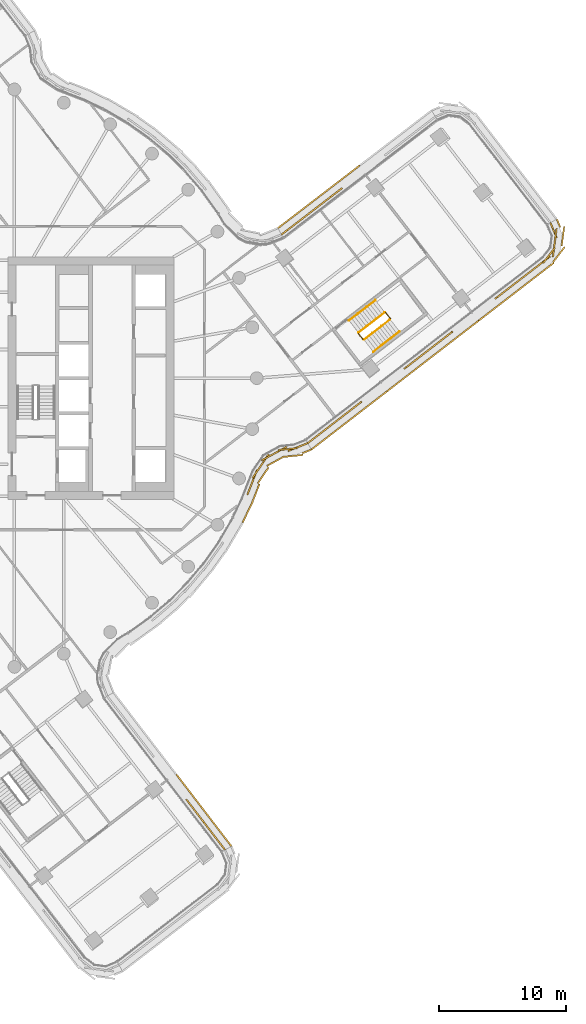
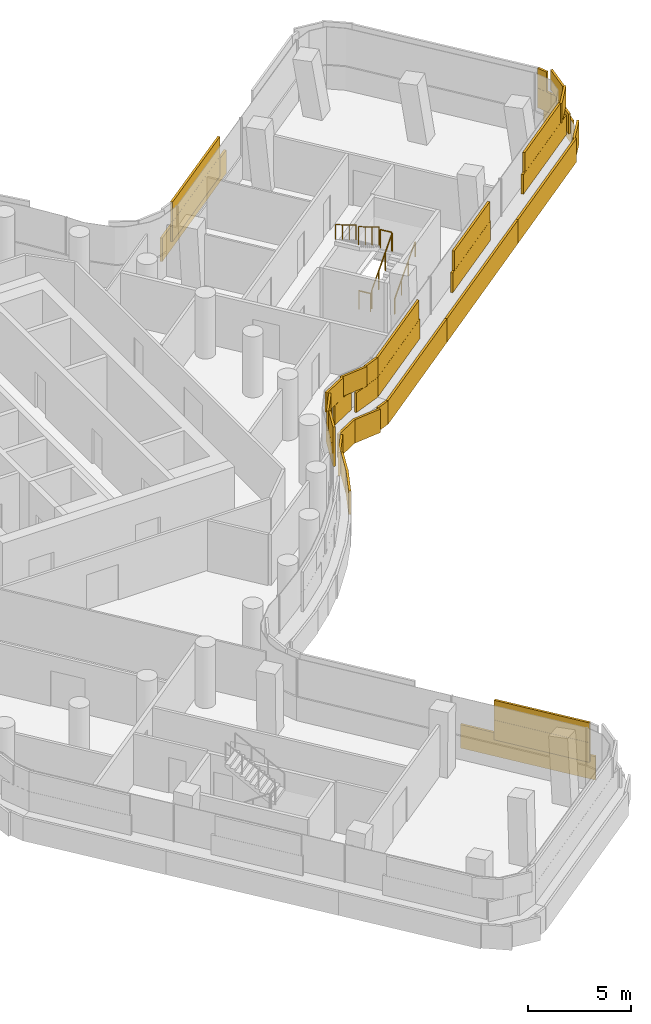
# One storey, part 31 of 33: 6 coverings, 6 railings.
"""IFC4 building model written with IfcOpenShell, lengths in metres."""

import ifcopenshell
import ifcopenshell.guid

model = None  # the IFC model being written
_history = None  # IfcOwnerHistory: only IFC2X3 demands one
_inside = {}  # id of a spatial element -> (the spatial element, [elements in it])
_under = {}  # id of a project, library or spatial element -> (it, [spatial elements below it])
_declared = {}  # id of a project -> (the project, [libraries it declares])
_typed = {}  # id of a type object -> (the type object, [elements of that type])
_made_of = {}  # id of a material, layer set ... -> (it, [elements and type objects made of it])


def new_model(schema):
    """Start an empty IFC model of exactly this schema.

    Asked for "IFC4X3", IfcOpenShell would pick the latest addendum, in which some entities
    have other attributes; the version numbers below select the first issue.
    IFC2X3 requires an IfcOwnerHistory on every rooted entity: one is made here for all.
    """
    global model, _history
    if schema == "IFC4X3":
        model = ifcopenshell.file(schema_version=(4, 3, 0, 0))
    else:
        model = ifcopenshell.file(schema=schema)
    _inside.clear()
    _under.clear()
    _declared.clear()
    _typed.clear()
    _made_of.clear()
    _history = None
    if model.schema == "IFC2X3":
        org = make("IfcOrganization", Name="unknown")
        user = make(
            "IfcPersonAndOrganization",
            ThePerson=make("IfcPerson", FamilyName="unknown"),
            TheOrganization=org,
        )
        app = make(
            "IfcApplication",
            ApplicationDeveloper=org,
            Version="unknown",
            ApplicationFullName="unknown",
            ApplicationIdentifier="unknown",
        )
        _history = make(
            "IfcOwnerHistory",
            OwningUser=user,
            OwningApplication=app,
            ChangeAction="ADDED",
            CreationDate=0,
        )
    return model


def make(cls, **values):
    """One entity of the class cls with the attributes given. An attribute that is None is left unset."""
    return model.create_entity(
        cls, **{name: value for name, value in values.items() if value is not None}
    )


def rooted(cls, **values):
    """An entity with a GlobalId (a new one), such as an element, a storey or a relation."""
    return make(cls, GlobalId=ifcopenshell.guid.new(), OwnerHistory=_history, **values)


def si_unit(unit_type, name, prefix=None):
    """IfcSIUnit, for example si_unit("LENGTHUNIT", "METRE", prefix="MILLI")."""
    return make("IfcSIUnit", UnitType=unit_type, Prefix=prefix, Name=name)


def assignment(units):
    """IfcUnitAssignment: the units of a project."""
    return None if units is None else make("IfcUnitAssignment", Units=units)


def point(xyz):
    """IfcCartesianPoint."""
    return None if xyz is None else make("IfcCartesianPoint", Coordinates=xyz)


def direction(xyz):
    """IfcDirection."""
    return None if xyz is None else make("IfcDirection", DirectionRatios=xyz)


def frame(location, z_axis=None, x_axis=None):
    """IfcAxis2Placement3D, a coordinate frame: its origin and axes. An axis left out is left unset."""
    return make(
        "IfcAxis2Placement3D",
        Location=point(location),
        Axis=direction(z_axis),
        RefDirection=direction(x_axis),
    )


def frame_2d(location, x_axis=None):
    """IfcAxis2Placement2D, a coordinate frame in the plane: its origin and x axis."""
    return make(
        "IfcAxis2Placement2D", Location=point(location), RefDirection=direction(x_axis)
    )


def origin():
    """The frame at (0, 0, 0) with its axes left unset."""
    return frame((0.0, 0.0, 0.0))


def origin_2d():
    """The frame at (0, 0) in the plane with its x axis left unset."""
    return frame_2d((0.0, 0.0))


def place(relative_to, where):
    """IfcLocalPlacement: puts the frame where relative to a parent placement (None: the world)."""
    return make(
        "IfcLocalPlacement", PlacementRelTo=relative_to, RelativePlacement=where
    )


def context(
    kind, dimensions, precision=None, world=None, true_north=None, identifier=None
):
    """IfcGeometricRepresentationContext, for example the 3D "Model" context."""
    return make(
        "IfcGeometricRepresentationContext",
        ContextIdentifier=identifier,
        ContextType=kind,
        CoordinateSpaceDimension=dimensions,
        Precision=precision,
        WorldCoordinateSystem=world,
        TrueNorth=true_north,
    )


def subcontext(parent, identifier, kind, view, scale=None):
    """IfcGeometricRepresentationSubContext, for example "Body" below "Model"."""
    return make(
        "IfcGeometricRepresentationSubContext",
        ContextIdentifier=identifier,
        ContextType=kind,
        ParentContext=parent,
        TargetScale=scale,
        TargetView=view,
    )


def project(units=None, contexts=None):
    """IfcProject with its units and contexts."""
    return rooted(
        "IfcProject",
        Name="project",
        RepresentationContexts=contexts,
        UnitsInContext=assignment(units),
    )


def spatial(cls, under=None, at=None, **own):
    """A site, building, storey or space (cls), placed at a placement, below another one or the project."""
    s = rooted(cls, ObjectPlacement=at, **own)
    if under is not None:
        _under.setdefault(under.id(), (under, []))[1].append(s)
    return s


def profile(cls, at=None, kind="AREA", **sizes):
    """A parametric profile (cls). Its sizes go by their IFC names, for example OverallWidth=200.0."""
    return make(cls, ProfileType=kind, Position=at, **sizes)


def rectangle(**sizes):
    """IfcRectangleProfileDef."""
    return profile("IfcRectangleProfileDef", **sizes)


def circle(**sizes):
    """IfcCircleProfileDef."""
    return profile("IfcCircleProfileDef", **sizes)


def extrude(swept, where, along, depth):
    """IfcExtrudedAreaSolid: the profile swept, set in the frame where, extruded along a direction by depth."""
    return make(
        "IfcExtrudedAreaSolid",
        SweptArea=swept,
        Position=where,
        ExtrudedDirection=direction(along),
        Depth=depth,
    )


def shape(context_of_items, identifier, shape_type, items):
    """IfcShapeRepresentation: the items that make up one representation, for example the "Body"."""
    return make(
        "IfcShapeRepresentation",
        ContextOfItems=context_of_items,
        RepresentationIdentifier=identifier,
        RepresentationType=shape_type,
        Items=items,
    )


def material(Name=None, Category=None):
    """IfcMaterial."""
    return make("IfcMaterial", Name=Name, Category=Category)


def layer(
    of_material, thickness, ventilated=None, Name=None, Category=None, Priority=None
):
    """IfcMaterialLayer: one layer of a wall or slab, of a material (None: an air gap)."""
    return make(
        "IfcMaterialLayer",
        Material=of_material,
        LayerThickness=thickness,
        IsVentilated=ventilated,
        Name=Name,
        Category=Category,
        Priority=Priority,
    )


def layer_set(layers, Name=None):
    """IfcMaterialLayerSet."""
    return make("IfcMaterialLayerSet", MaterialLayers=layers, LayerSetName=Name)


def made_of(thing, what):
    """Note that an element or type object is made of a material, layer set ...; save() writes the relation."""
    if what is not None:
        _made_of.setdefault(what.id(), (what, []))[1].append(thing)
    return thing


def type_object(cls, material=None, **own):
    """A type object (cls), such as IfcWallType, which elements share."""
    return made_of(rooted(cls, **own), material)


def element(
    cls,
    number,
    at=None,
    inside=None,
    cuts=None,
    type_object=None,
    material=None,
    context=None,
    identifier="Body",
    shape_type=None,
    held_by="IfcProductDefinitionShape",
    body=None,
    shapes=None,
    **own,
):
    """One element of the class cls, such as IfcWall. Its Tag is "e" and its number.

    at: its placement. inside: the storey or other place that contains it. cuts: it is an
    opening in that element (IfcRelVoidsElement). A single representation is given by context,
    identifier, shape_type and body (its items); several are given by shapes. held_by: the class
    of the entity that holds the representations. save() writes the other relations.
    """
    e = rooted(cls, Tag="e%d" % number, ObjectPlacement=at, **own)
    if body is not None:
        shapes = [shape(context, identifier, shape_type, body)]
    if shapes is not None:
        e.Representation = make(held_by, Representations=shapes)
    if inside is not None:
        _inside.setdefault(inside.id(), (inside, []))[1].append(e)
    if cuts is not None:
        rooted(
            "IfcRelVoidsElement", RelatingBuildingElement=cuts, RelatedOpeningElement=e
        )
    if type_object is not None:
        _typed.setdefault(type_object.id(), (type_object, []))[1].append(e)
    return made_of(e, material)


def aggregate(whole, parts):
    """IfcRelAggregates: a whole, such as a stair, and the parts it consists of."""
    return rooted("IfcRelAggregates", RelatingObject=whole, RelatedObjects=parts)


def save(model, path):
    """Write the relations noted so far, then the file.

    IfcRelAggregates (storeys below a building ...), IfcRelContainedInSpatialStructure (elements
    in a storey), IfcRelDefinesByType, IfcRelAssociatesMaterial and IfcRelDeclares: one each for
    every whole, place, type object, material and project.
    """
    for whole, parts in _under.values():
        aggregate(whole, parts)
    for where, things in _inside.values():
        rooted(
            "IfcRelContainedInSpatialStructure",
            RelatedElements=things,
            RelatingStructure=where,
        )
    for kind, things in _typed.values():
        rooted("IfcRelDefinesByType", RelatedObjects=things, RelatingType=kind)
    for what, things in _made_of.values():
        rooted("IfcRelAssociatesMaterial", RelatedObjects=things, RelatingMaterial=what)
    for by, libraries in _declared.values():
        rooted("IfcRelDeclares", RelatingContext=by, RelatedDefinitions=libraries)
    model.write(path)


model = new_model("IFC4")

# Units and contexts
model_context = context("Model", 3, precision=1e-05, world=origin(), true_north=direction((0.0, 1.0)))
body_context = subcontext(model_context, "Body", "Model", "MODEL_VIEW")
ifc_project = project(units=[si_unit("LENGTHUNIT", "METRE"), si_unit("AREAUNIT", "SQUARE_METRE"), si_unit("VOLUMEUNIT", "CUBIC_METRE"), si_unit("PLANEANGLEUNIT", "RADIAN"), si_unit("MASSUNIT", "GRAM", prefix="KILO")], contexts=[model_context])

# Site, building, storey
site_placement = place(None, origin())
site = spatial("IfcSite", under=ifc_project, at=site_placement, CompositionType="ELEMENT")
building_placement = place(site_placement, origin())
building = spatial("IfcBuilding", under=site, at=building_placement, Name="Tamarind Cross Interchange Tower", CompositionType="ELEMENT")
storey_placement = place(building_placement, frame((0.0, 0.0, 170.5)))
storey = spatial("IfcBuildingStorey", under=building, at=storey_placement, Name="L42", CompositionType="ELEMENT", Elevation=170.5)

# Railings
ifc_material_1 = material(Name="Stair guard")
railing_type_1 = type_object("IfcRailingType", Name="Stair guard", PredefinedType="GUARDRAIL", material=ifc_material_1)
railing_1_placement = place(storey_placement, frame((31.41162109375, 3.022216796875, 0.17041015625)))
element("IfcRailing", 1, at=railing_1_placement, inside=storey, type_object=railing_type_1, Name="L42 ST3 stair guard 1", PredefinedType="GUARDRAIL", context=body_context, shape_type="SweptSolid", body=[
    extrude(circle(Radius=0.02392578125, at=origin_2d()), frame((0.0, 0.0, 1.076171875), z_axis=(0.662458664163, 0.510429269447, 0.548279562967), x_axis=(-0.61034586925, 0.792135038923, 0.0)), (0.0, 0.0, 1.0), 3.10888671875),
    extrude(circle(Radius=0.02099609375, at=origin_2d()), origin(), (0.0, 0.0, 1.0), 1.052001953125),
    extrude(circle(Radius=0.02099609375, at=origin_2d()), frame((0.6865234375, 0.529052734375, 0.568115234375)), (0.0, 0.0, 1.0), 1.052001953125),
    extrude(circle(Radius=0.02099609375, at=origin_2d()), frame((1.373046875, 1.057861328125, 1.136474609375)), (0.0, 0.0, 1.0), 1.052001953125),
    extrude(circle(Radius=0.02099609375, at=origin_2d()), frame((2.0595703125, 1.5869140625, 1.70458984375)), (0.0, 0.0, 1.0), 1.052001953125),
])
railing_2_placement = place(storey_placement, frame((33.480224609375, 4.67919921875, 1.875)))
element("IfcRailing", 2, at=railing_2_placement, inside=storey, type_object=railing_type_1, Name="L42 ST3 stair guard 2", PredefinedType="GUARDRAIL", context=body_context, shape_type="SweptSolid", body=[
    extrude(circle(Radius=0.02392578125, at=origin_2d()), frame((0.0, 0.0, 1.076171875), z_axis=(-0.610300473503, 0.792170014607, 0.0), x_axis=(-0.792170014607, -0.610300473503, 0.0)), (0.0, 0.0, 1.0), 0.60009765625),
    extrude(circle(Radius=0.02099609375, at=origin_2d()), origin(), (0.0, 0.0, 1.0), 1.052001953125),
    extrude(circle(Radius=0.02099609375, at=origin_2d()), frame((-0.3662109375, 0.475341796875, 0.0)), (0.0, 0.0, 1.0), 1.052001953125),
])
railing_3_placement = place(storey_placement, frame((33.0439453125, 5.16357421875, 2.04541015625)))
element("IfcRailing", 3, at=railing_3_placement, inside=storey, type_object=railing_type_1, Name="L42 ST3 stair guard 3", PredefinedType="GUARDRAIL", context=body_context, shape_type="SweptSolid", body=[
    extrude(circle(Radius=0.02392578125, at=origin_2d()), frame((0.0, 0.0, 1.076171875), z_axis=(-0.662485216898, -0.510371197798, 0.548301539164), x_axis=(0.610286944407, -0.792180437455, 0.0)), (0.0, 0.0, 1.0), 3.10888671875),
    extrude(circle(Radius=0.02099609375, at=origin_2d()), origin(), (0.0, 0.0, 1.0), 1.052001953125),
    extrude(circle(Radius=0.02099609375, at=origin_2d()), frame((-0.6865234375, -0.52880859375, 0.568115234375)), (0.0, 0.0, 1.0), 1.052001953125),
    extrude(circle(Radius=0.02099609375, at=origin_2d()), frame((-1.373046875, -1.057861328125, 1.136474609375)), (0.0, 0.0, 1.0), 1.052001953125),
    extrude(circle(Radius=0.02099609375, at=origin_2d()), frame((-2.0595703125, -1.586669921875, 1.70458984375)), (0.0, 0.0, 1.0), 1.052001953125),
])
railing_4_placement = place(storey_placement, frame((31.341552734375, 3.031494140625, 0.0)))
element("IfcRailing", 4, at=railing_4_placement, inside=storey, type_object=railing_type_1, Name="L42 ST3 stair guard 4", PredefinedType="GUARDRAIL", context=body_context, shape_type="SweptSolid", body=[
    extrude(circle(Radius=0.02392578125, at=origin_2d()), frame((0.0, 0.0, 1.076171875), z_axis=(-0.610497222707, 0.792018396925, 0.0), x_axis=(-0.792018396925, -0.610497222707, 0.0)), (0.0, 0.0, 1.0), 0.599853515625),
    extrude(circle(Radius=0.02099609375, at=origin_2d()), origin(), (0.0, 0.0, 1.0), 1.052001953125),
    extrude(circle(Radius=0.02099609375, at=origin_2d()), frame((-0.3662109375, 0.47509765625, 0.0)), (0.0, 0.0, 1.0), 1.052001953125),
])
ifc_material_2 = material(Name="Stair handrail")
railing_type_2 = type_object("IfcRailingType", Name="Stair handrail", PredefinedType="HANDRAIL", material=ifc_material_2)
railing_5_placement = place(storey_placement, frame((32.14404296875, 2.07177734375, 0.17041015625)))
element("IfcRailing", 5, at=railing_5_placement, inside=storey, type_object=railing_type_2, Name="L42 ST3 stair handrail 1", PredefinedType="HANDRAIL", context=body_context, shape_type="SweptSolid", body=[
    extrude(circle(Radius=0.02392578125, at=origin_2d()), frame((0.0, 0.0, 0.8759765625), z_axis=(0.662485216898, 0.510371197798, 0.548301539164), x_axis=(-0.610286944407, 0.792180437455, 0.0)), (0.0, 0.0, 1.0), 3.10888671875),
    extrude(circle(Radius=0.02099609375, at=origin_2d()), origin(), (0.0, 0.0, 1.0), 0.851806640625),
    extrude(circle(Radius=0.02099609375, at=origin_2d()), frame((0.6865234375, 0.52880859375, 0.568115234375)), (0.0, 0.0, 1.0), 0.851806640625),
    extrude(circle(Radius=0.02099609375, at=origin_2d()), frame((1.373046875, 1.057861328125, 1.136474609375)), (0.0, 0.0, 1.0), 0.851806640625),
    extrude(circle(Radius=0.02099609375, at=origin_2d()), frame((2.0595703125, 1.586669921875, 1.70458984375)), (0.0, 0.0, 1.0), 0.851806640625),
])
railing_6_placement = place(storey_placement, frame((32.3115234375, 6.1142578125, 2.04541015625)))
element("IfcRailing", 6, at=railing_6_placement, inside=storey, type_object=railing_type_2, Name="L42 ST3 stair handrail 2", PredefinedType="HANDRAIL", context=body_context, shape_type="SweptSolid", body=[
    extrude(circle(Radius=0.02392578125, at=origin_2d()), frame((0.0, 0.0, 0.8759765625), z_axis=(-0.662458664163, -0.510429269447, 0.548279562967), x_axis=(0.61034586925, -0.792135038923, 0.0)), (0.0, 0.0, 1.0), 3.10888671875),
    extrude(circle(Radius=0.02099609375, at=origin_2d()), origin(), (0.0, 0.0, 1.0), 0.851806640625),
    extrude(circle(Radius=0.02099609375, at=origin_2d()), frame((-0.6865234375, -0.529052734375, 0.568115234375)), (0.0, 0.0, 1.0), 0.851806640625),
    extrude(circle(Radius=0.02099609375, at=origin_2d()), frame((-1.373046875, -1.057861328125, 1.136474609375)), (0.0, 0.0, 1.0), 0.851806640625),
    extrude(circle(Radius=0.02099609375, at=origin_2d()), frame((-2.0595703125, -1.5869140625, 1.70458984375)), (0.0, 0.0, 1.0), 0.851806640625),
])

# Coverings
ifc_material_3 = material(Name="Terracotta", Category="masonry")
ifc_layer = layer(ifc_material_3, 0.1201171875)
ifc_layer_set = layer_set([ifc_layer], Name="Terracotta")
covering_type = type_object("IfcCoveringType", Name="Terracotta baguette screen unit", PredefinedType="MOLDING", material=ifc_layer_set)
covering_1_placement = place(storey_placement, origin())
element("IfcCovering", 7, at=covering_1_placement, inside=storey, type_object=covering_type, Name="SCR-L42-01-01", PredefinedType="MOLDING", context=body_context, shape_type="SweptSolid", body=[
    extrude(rectangle(XDim=1.313720703125, YDim=0.1201171875, at=origin_2d()), frame((29.19140625, 14.523193359375, 1.404052734375), z_axis=(0.0, 0.0, 1.0), x_axis=(-0.793725115769, -0.608276615198, 0.0)), (0.0, 0.0, 1.0), 1.1669921875),
    extrude(rectangle(XDim=1.52001953125, YDim=0.1201171875, at=origin_2d()), frame((28.078857421875, 13.67041015625, 1.404052734375), z_axis=(0.0, 0.0, 1.0), x_axis=(-0.793725115769, -0.608276615198, 0.0)), (0.0, 0.0, 1.0), 1.1669921875),
    extrude(rectangle(XDim=1.52001953125, YDim=0.1201171875, at=origin_2d()), frame((26.88818359375, 12.758056640625, 1.404052734375), z_axis=(0.0, 0.0, 1.0), x_axis=(-0.793725115769, -0.608276615198, 0.0)), (0.0, 0.0, 1.0), 1.1669921875),
    extrude(rectangle(XDim=1.52001953125, YDim=0.1201171875, at=origin_2d()), frame((25.697509765625, 11.845458984375, 1.404052734375), z_axis=(0.0, 0.0, 1.0), x_axis=(-0.793725115769, -0.608276615198, 0.0)), (0.0, 0.0, 1.0), 1.1669921875),
    extrude(rectangle(XDim=0.206787109375, YDim=0.1201171875, at=origin_2d()), frame((25.024169921875, 11.329345703125, 1.404052734375), z_axis=(0.0, 0.0, 1.0), x_axis=(-0.793725115769, -0.608276615198, 0.0)), (0.0, 0.0, 1.0), 1.1669921875),
    extrude(rectangle(XDim=0.563720703125, YDim=0.1201171875, at=origin_2d()), frame((29.4892578125, 14.751220703125, 2.5791015625), z_axis=(0.0, 0.0, 1.0), x_axis=(-0.793725115769, -0.608276615198, 0.0)), (0.0, 0.0, 1.0), 1.1669921875),
    extrude(rectangle(XDim=1.52001953125, YDim=0.1201171875, at=origin_2d()), frame((28.674072265625, 14.12646484375, 2.5791015625), z_axis=(0.0, 0.0, 1.0), x_axis=(-0.793725115769, -0.608276615198, 0.0)), (0.0, 0.0, 1.0), 1.1669921875),
    extrude(rectangle(XDim=1.52001953125, YDim=0.1201171875, at=origin_2d()), frame((27.4833984375, 13.214111328125, 2.5791015625), z_axis=(0.0, 0.0, 1.0), x_axis=(-0.793725115769, -0.608276615198, 0.0)), (0.0, 0.0, 1.0), 1.1669921875),
    extrude(rectangle(XDim=1.52001953125, YDim=0.1201171875, at=origin_2d()), frame((26.29296875, 12.3017578125, 2.5791015625), z_axis=(0.0, 0.0, 1.0), x_axis=(-0.793725115769, -0.608276615198, 0.0)), (0.0, 0.0, 1.0), 1.1669921875),
    extrude(rectangle(XDim=0.956787109375, YDim=0.1201171875, at=origin_2d()), frame((25.32177734375, 11.5576171875, 2.5791015625), z_axis=(0.0, 0.0, 1.0), x_axis=(-0.793725115769, -0.608276615198, 0.0)), (0.0, 0.0, 1.0), 1.1669921875),
    extrude(rectangle(XDim=0.41650390625, YDim=0.1201171875, at=origin_2d()), frame((30.9228515625, 16.572998046875, 0.00390625), z_axis=(0.0, 0.0, 1.0), x_axis=(-0.793725115769, -0.608276615198, 0.0)), (0.0, 0.0, 1.0), 1.39208984375),
    extrude(rectangle(XDim=1.52001953125, YDim=0.1201171875, at=origin_2d()), frame((30.170166015625, 15.996337890625, 0.00390625), z_axis=(0.0, 0.0, 1.0), x_axis=(-0.793725115769, -0.608276615198, 0.0)), (0.0, 0.0, 1.0), 1.39208984375),
    extrude(rectangle(XDim=1.52001953125, YDim=0.1201171875, at=origin_2d()), frame((28.979736328125, 15.083984375, 0.00390625), z_axis=(0.0, 0.0, 1.0), x_axis=(-0.793725115769, -0.608276615198, 0.0)), (0.0, 0.0, 1.0), 1.39208984375),
    extrude(rectangle(XDim=1.52001953125, YDim=0.1201171875, at=origin_2d()), frame((27.7890625, 14.17138671875, 0.00390625), z_axis=(0.0, 0.0, 1.0), x_axis=(-0.793725115769, -0.608276615198, 0.0)), (0.0, 0.0, 1.0), 1.39208984375),
    extrude(rectangle(XDim=1.52001953125, YDim=0.1201171875, at=origin_2d()), frame((26.598388671875, 13.259033203125, 0.00390625), z_axis=(0.0, 0.0, 1.0), x_axis=(-0.793725115769, -0.608276615198, 0.0)), (0.0, 0.0, 1.0), 1.39208984375),
    extrude(rectangle(XDim=1.52001953125, YDim=0.1201171875, at=origin_2d()), frame((25.407958984375, 12.3466796875, 0.00390625), z_axis=(0.0, 0.0, 1.0), x_axis=(-0.793725115769, -0.608276615198, 0.0)), (0.0, 0.0, 1.0), 1.39208984375),
    extrude(rectangle(XDim=0.200927734375, YDim=0.1201171875, at=origin_2d()), frame((24.74072265625, 11.83544921875, 0.00390625), z_axis=(0.0, 0.0, 1.0), x_axis=(-0.793725115769, -0.608276615198, 0.0)), (0.0, 0.0, 1.0), 1.39208984375),
])
covering_2_placement = place(storey_placement, origin())
element("IfcCovering", 8, at=covering_2_placement, inside=storey, type_object=covering_type, Name="SCR-L42-13-00", PredefinedType="MOLDING", context=body_context, shape_type="SweptSolid", body=[
    extrude(rectangle(XDim=1.510009765625, YDim=0.1201171875, at=origin_2d()), frame((20.057373046875, -36.412841796875, 1.404052734375), z_axis=(0.0, 0.0, 1.0), x_axis=(-0.608276615198, 0.793725115769, 0.0)), (0.0, 0.0, 1.0), 1.1669921875),
    extrude(rectangle(XDim=1.52001953125, YDim=0.1201171875, at=origin_2d()), frame((19.144775390625, -35.222412109375, 1.404052734375), z_axis=(0.0, 0.0, 1.0), x_axis=(-0.608276615198, 0.793725115769, 0.0)), (0.0, 0.0, 1.0), 1.1669921875),
    extrude(rectangle(XDim=1.52001953125, YDim=0.1201171875, at=origin_2d()), frame((18.232421875, -34.03173828125, 1.404052734375), z_axis=(0.0, 0.0, 1.0), x_axis=(-0.608276615198, 0.793725115769, 0.0)), (0.0, 0.0, 1.0), 1.1669921875),
    extrude(rectangle(XDim=0.50634765625, YDim=0.1201171875, at=origin_2d()), frame((17.625244140625, -33.239501953125, 1.404052734375), z_axis=(0.0, 0.0, 1.0), x_axis=(-0.608276615198, 0.793725115769, 0.0)), (0.0, 0.0, 1.0), 1.1669921875),
    extrude(rectangle(XDim=0.760009765625, YDim=0.1201171875, at=origin_2d()), frame((20.285400390625, -36.71044921875, 2.5791015625), z_axis=(0.0, 0.0, 1.0), x_axis=(-0.608276615198, 0.793725115769, 0.0)), (0.0, 0.0, 1.0), 1.1669921875),
    extrude(rectangle(XDim=1.52001953125, YDim=0.1201171875, at=origin_2d()), frame((19.60107421875, -35.817626953125, 2.5791015625), z_axis=(0.0, 0.0, 1.0), x_axis=(-0.608276615198, 0.793725115769, 0.0)), (0.0, 0.0, 1.0), 1.1669921875),
    extrude(rectangle(XDim=1.52001953125, YDim=0.1201171875, at=origin_2d()), frame((18.688720703125, -34.626953125, 2.5791015625), z_axis=(0.0, 0.0, 1.0), x_axis=(-0.608276615198, 0.793725115769, 0.0)), (0.0, 0.0, 1.0), 1.1669921875),
    extrude(rectangle(XDim=1.25634765625, YDim=0.1201171875, at=origin_2d()), frame((17.853271484375, -33.537109375, 2.5791015625), z_axis=(0.0, 0.0, 1.0), x_axis=(-0.608276615198, 0.793725115769, 0.0)), (0.0, 0.0, 1.0), 1.1669921875),
    extrude(rectangle(XDim=1.510009765625, YDim=0.1201171875, at=origin_2d()), frame((20.555419921875, -36.119140625, 0.00390625), z_axis=(0.0, 0.0, 1.0), x_axis=(-0.608276615198, 0.793725115769, 0.0)), (0.0, 0.0, 1.0), 1.39208984375),
    extrude(rectangle(XDim=1.52001953125, YDim=0.1201171875, at=origin_2d()), frame((19.64599609375, -34.9326171875, 0.00390625), z_axis=(0.0, 0.0, 1.0), x_axis=(-0.608276615198, 0.793725115769, 0.0)), (0.0, 0.0, 1.0), 1.39208984375),
    extrude(rectangle(XDim=1.52001953125, YDim=0.1201171875, at=origin_2d()), frame((18.733642578125, -33.741943359375, 0.00390625), z_axis=(0.0, 0.0, 1.0), x_axis=(-0.608276615198, 0.793725115769, 0.0)), (0.0, 0.0, 1.0), 1.39208984375),
    extrude(rectangle(XDim=1.52001953125, YDim=0.1201171875, at=origin_2d()), frame((17.821044921875, -32.55126953125, 0.00390625), z_axis=(0.0, 0.0, 1.0), x_axis=(-0.608276615198, 0.793725115769, 0.0)), (0.0, 0.0, 1.0), 1.39208984375),
    extrude(rectangle(XDim=1.103515625, YDim=0.1201171875, at=origin_2d()), frame((17.035400390625, -31.526123046875, 0.00390625), z_axis=(0.0, 0.0, 1.0), x_axis=(-0.608276615198, 0.793725115769, 0.0)), (0.0, 0.0, 1.0), 1.39208984375),
])
covering_3_placement = place(storey_placement, origin())
element("IfcCovering", 9, at=covering_3_placement, inside=storey, type_object=covering_type, Name="SCR-L42-14-01", PredefinedType="MOLDING", context=body_context, shape_type="SweptSolid", body=[
    extrude(rectangle(XDim=0.62158203125, YDim=0.1201171875, at=origin_2d()), frame((22.37548828125, -8.866943359375, 1.404052734375), z_axis=(0.0, 0.0, 1.0), x_axis=(0.361572559984, 0.932343972934, 0.0)), (0.0, 0.0, 1.0), 1.1669921875),
    extrude(rectangle(XDim=1.52001953125, YDim=0.1201171875, at=origin_2d()), frame((22.757080078125, -7.882568359375, 1.404052734375), z_axis=(0.0, 0.0, 1.0), x_axis=(0.361572559984, 0.932343972934, 0.0)), (0.0, 0.0, 1.0), 1.1669921875),
    extrude(rectangle(XDim=1.52001953125, YDim=0.1201171875, at=origin_2d()), frame((23.510986328125, -6.594970703125, 1.404052734375), z_axis=(0.0, 0.0, 1.0), x_axis=(0.561400967364, 0.827543928648, 0.0)), (0.0, 0.0, 1.0), 1.1669921875),
    extrude(rectangle(XDim=1.52001953125, YDim=0.1201171875, at=origin_2d()), frame((24.70068359375, -5.73681640625, 1.404052734375), z_axis=(0.0, 0.0, 1.0), x_axis=(0.8783342072, 0.478047090214, 0.0)), (0.0, 0.0, 1.0), 1.1669921875),
    extrude(rectangle(XDim=1.52001953125, YDim=0.1201171875, at=origin_2d()), frame((26.151611328125, -5.43701171875, 1.404052734375), z_axis=(0.0, 0.0, 1.0), x_axis=(0.928182041962, 0.372126452941, 0.0)), (0.0, 0.0, 1.0), 1.1669921875),
    extrude(rectangle(XDim=0.17724609375, YDim=0.1201171875, at=origin_2d()), frame((26.92529296875, -5.126708984375, 1.404052734375), z_axis=(0.0, 0.0, 1.0), x_axis=(0.928182041962, 0.372126452941, 0.0)), (0.0, 0.0, 1.0), 1.1669921875),
    extrude(rectangle(XDim=1.37158203125, YDim=0.1201171875, at=origin_2d()), frame((22.510986328125, -8.517333984375, 2.5791015625), z_axis=(0.0, 0.0, 1.0), x_axis=(0.361572559984, 0.932343972934, 0.0)), (0.0, 0.0, 1.0), 1.1669921875),
    extrude(rectangle(XDim=1.52001953125, YDim=0.1201171875, at=origin_2d()), frame((23.090087890625, -7.215576171875, 2.5791015625), z_axis=(0.0, 0.0, 1.0), x_axis=(0.561400967364, 0.827543928648, 0.0)), (0.0, 0.0, 1.0), 1.1669921875),
    extrude(rectangle(XDim=1.52001953125, YDim=0.1201171875, at=origin_2d()), frame((24.0419921875, -6.095458984375, 2.5791015625), z_axis=(0.0, 0.0, 1.0), x_axis=(0.8783342072, 0.478047090214, 0.0)), (0.0, 0.0, 1.0), 1.1669921875),
    extrude(rectangle(XDim=1.52001953125, YDim=0.1201171875, at=origin_2d()), frame((25.418701171875, -5.568359375, 2.5791015625), z_axis=(0.0, 0.0, 1.0), x_axis=(0.99437341989, 0.105931590269, 0.0)), (0.0, 0.0, 1.0), 1.1669921875),
    extrude(rectangle(XDim=0.92724609375, YDim=0.1201171875, at=origin_2d()), frame((26.577392578125, -5.266357421875, 2.5791015625), z_axis=(0.0, 0.0, 1.0), x_axis=(0.928182041962, 0.372126452941, 0.0)), (0.0, 0.0, 1.0), 1.1669921875),
    extrude(rectangle(XDim=0.296630859375, YDim=0.1201171875, at=origin_2d()), frame((21.959228515625, -11.1875, 0.00390625), z_axis=(0.0, 0.0, 1.0), x_axis=(0.435326231914, 0.900272776334, 0.0)), (0.0, 0.0, 1.0), 1.39208984375),
    extrude(rectangle(XDim=1.52001953125, YDim=0.1201171875, at=origin_2d()), frame((22.345703125, -10.387939453125, 0.00390625), z_axis=(0.0, 0.0, 1.0), x_axis=(0.435326231914, 0.900272776334, 0.0)), (0.0, 0.0, 1.0), 1.39208984375),
    extrude(rectangle(XDim=1.52001953125, YDim=0.1201171875, at=origin_2d()), frame((22.935546875, -9.010009765625, 0.00390625), z_axis=(0.0, 0.0, 1.0), x_axis=(0.361572559984, 0.932343972934, 0.0)), (0.0, 0.0, 1.0), 1.39208984375),
    extrude(rectangle(XDim=1.52001953125, YDim=0.1201171875, at=origin_2d()), frame((23.50537109375, -7.625732421875, 0.00390625), z_axis=(0.0, 0.0, 1.0), x_axis=(0.561400967364, 0.827543928648, 0.0)), (0.0, 0.0, 1.0), 1.39208984375),
    extrude(rectangle(XDim=1.52001953125, YDim=0.1201171875, at=origin_2d()), frame((24.4677734375, -6.51708984375, 0.00390625), z_axis=(0.0, 0.0, 1.0), x_axis=(0.8783342072, 0.478047090214, 0.0)), (0.0, 0.0, 1.0), 1.39208984375),
    extrude(rectangle(XDim=1.52001953125, YDim=0.1201171875, at=origin_2d()), frame((25.877685546875, -6.0966796875, 0.00390625), z_axis=(0.0, 0.0, 1.0), x_axis=(0.99437341989, 0.105931590269, 0.0)), (0.0, 0.0, 1.0), 1.39208984375),
    extrude(rectangle(XDim=0.76513671875, YDim=0.1201171875, at=origin_2d()), frame((26.935302734375, -5.7412109375, 0.00390625), z_axis=(0.0, 0.0, 1.0), x_axis=(0.928182041962, 0.372126452941, 0.0)), (0.0, 0.0, 1.0), 1.39208984375),
])
covering_4_placement = place(storey_placement, origin())
element("IfcCovering", 10, at=covering_4_placement, inside=storey, type_object=covering_type, Name="SCR-L42-15-00", PredefinedType="MOLDING", context=body_context, shape_type="SweptSolid", body=[
    extrude(rectangle(XDim=1.510009765625, YDim=0.1201171875, at=origin_2d()), frame((27.59716796875, -4.637939453125, 1.404052734375), z_axis=(0.0, 0.0, 1.0), x_axis=(0.792153315847, 0.610322147879, 0.0)), (0.0, 0.0, 1.0), 1.1669921875),
    extrude(rectangle(XDim=1.52001953125, YDim=0.1201171875, at=origin_2d()), frame((28.785400390625, -3.722412109375, 1.404052734375), z_axis=(0.0, 0.0, 1.0), x_axis=(0.792153315847, 0.610322147879, 0.0)), (0.0, 0.0, 1.0), 1.1669921875),
    extrude(rectangle(XDim=1.52001953125, YDim=0.1201171875, at=origin_2d()), frame((29.9736328125, -2.806884765625, 1.404052734375), z_axis=(0.0, 0.0, 1.0), x_axis=(0.792153315847, 0.610322147879, 0.0)), (0.0, 0.0, 1.0), 1.1669921875),
    extrude(rectangle(XDim=0.85205078125, YDim=0.1201171875, at=origin_2d()), frame((30.901123046875, -2.09228515625, 1.404052734375), z_axis=(0.0, 0.0, 1.0), x_axis=(0.792153315847, 0.610322147879, 0.0)), (0.0, 0.0, 1.0), 1.1669921875),
    extrude(rectangle(XDim=0.760009765625, YDim=0.1201171875, at=origin_2d()), frame((27.300048828125, -4.866943359375, 2.5791015625), z_axis=(0.0, 0.0, 1.0), x_axis=(0.792153315847, 0.610322147879, 0.0)), (0.0, 0.0, 1.0), 1.1669921875),
    extrude(rectangle(XDim=1.52001953125, YDim=0.1201171875, at=origin_2d()), frame((28.191162109375, -4.18017578125, 2.5791015625), z_axis=(0.0, 0.0, 1.0), x_axis=(0.792153315847, 0.610322147879, 0.0)), (0.0, 0.0, 1.0), 1.1669921875),
    extrude(rectangle(XDim=1.52001953125, YDim=0.1201171875, at=origin_2d()), frame((29.37939453125, -3.2646484375, 2.5791015625), z_axis=(0.0, 0.0, 1.0), x_axis=(0.792153315847, 0.610322147879, 0.0)), (0.0, 0.0, 1.0), 1.1669921875),
    extrude(rectangle(XDim=1.52001953125, YDim=0.1201171875, at=origin_2d()), frame((30.567626953125, -2.349365234375, 2.5791015625), z_axis=(0.0, 0.0, 1.0), x_axis=(0.792153315847, 0.610322147879, 0.0)), (0.0, 0.0, 1.0), 1.1669921875),
    extrude(rectangle(XDim=1.510009765625, YDim=0.1201171875, at=origin_2d()), frame((27.888427734375, -5.13818359375, 0.00390625), z_axis=(0.0, 0.0, 1.0), x_axis=(0.792153315847, 0.610322147879, 0.0)), (0.0, 0.0, 1.0), 1.39208984375),
    extrude(rectangle(XDim=1.52001953125, YDim=0.1201171875, at=origin_2d()), frame((29.07275390625, -4.2255859375, 0.00390625), z_axis=(0.0, 0.0, 1.0), x_axis=(0.792153315847, 0.610322147879, 0.0)), (0.0, 0.0, 1.0), 1.39208984375),
    extrude(rectangle(XDim=1.52001953125, YDim=0.1201171875, at=origin_2d()), frame((30.260986328125, -3.310302734375, 0.00390625), z_axis=(0.0, 0.0, 1.0), x_axis=(0.792153315847, 0.610322147879, 0.0)), (0.0, 0.0, 1.0), 1.39208984375),
    extrude(rectangle(XDim=1.52001953125, YDim=0.1201171875, at=origin_2d()), frame((31.44921875, -2.394775390625, 0.00390625), z_axis=(0.0, 0.0, 1.0), x_axis=(0.792153315847, 0.610322147879, 0.0)), (0.0, 0.0, 1.0), 1.39208984375),
    extrude(rectangle(XDim=1.5009765625, YDim=0.1201171875, at=origin_2d()), frame((32.6298828125, -1.485107421875, 0.00390625), z_axis=(0.0, 0.0, 1.0), x_axis=(0.792153315847, 0.610322147879, 0.0)), (0.0, 0.0, 1.0), 1.39208984375),
])
covering_5_placement = place(storey_placement, origin())
element("IfcCovering", 11, at=covering_5_placement, inside=storey, type_object=covering_type, Name="SCR-L42-15-01", PredefinedType="MOLDING", context=body_context, shape_type="SweptSolid", body=[
    extrude(rectangle(XDim=0.968017578125, YDim=0.1201171875, at=origin_2d()), frame((34.941162109375, 1.020263671875, 1.404052734375), z_axis=(0.0, 0.0, 1.0), x_axis=(0.792153315847, 0.610322147879, 0.0)), (0.0, 0.0, 1.0), 1.1669921875),
    extrude(rectangle(XDim=1.52001953125, YDim=0.1201171875, at=origin_2d()), frame((35.914794921875, 1.7705078125, 1.404052734375), z_axis=(0.0, 0.0, 1.0), x_axis=(0.792153315847, 0.610322147879, 0.0)), (0.0, 0.0, 1.0), 1.1669921875),
    extrude(rectangle(XDim=1.52001953125, YDim=0.1201171875, at=origin_2d()), frame((37.10302734375, 2.685791015625, 1.404052734375), z_axis=(0.0, 0.0, 1.0), x_axis=(0.792153315847, 0.610322147879, 0.0)), (0.0, 0.0, 1.0), 1.1669921875),
    extrude(rectangle(XDim=0.861328125, YDim=0.1201171875, at=origin_2d()), frame((38.0341796875, 3.403564453125, 1.404052734375), z_axis=(0.0, 0.0, 1.0), x_axis=(0.792153315847, 0.610322147879, 0.0)), (0.0, 0.0, 1.0), 1.1669921875),
    extrude(rectangle(XDim=1.52001953125, YDim=0.1201171875, at=origin_2d()), frame((35.320556640625, 1.312744140625, 2.5791015625), z_axis=(0.0, 0.0, 1.0), x_axis=(0.792153315847, 0.610322147879, 0.0)), (0.0, 0.0, 1.0), 1.1669921875),
    extrude(rectangle(XDim=1.52001953125, YDim=0.1201171875, at=origin_2d()), frame((36.5087890625, 2.228271484375, 2.5791015625), z_axis=(0.0, 0.0, 1.0), x_axis=(0.792153315847, 0.610322147879, 0.0)), (0.0, 0.0, 1.0), 1.1669921875),
    extrude(rectangle(XDim=1.52001953125, YDim=0.1201171875, at=origin_2d()), frame((37.697021484375, 3.1435546875, 2.5791015625), z_axis=(0.0, 0.0, 1.0), x_axis=(0.792153315847, 0.610322147879, 0.0)), (0.0, 0.0, 1.0), 1.1669921875),
    extrude(rectangle(XDim=1.52001953125, YDim=0.1201171875, at=origin_2d()), frame((33.82568359375, -0.563720703125, 0.00390625), z_axis=(0.0, 0.0, 1.0), x_axis=(0.792153315847, 0.610322147879, 0.0)), (0.0, 0.0, 1.0), 1.39208984375),
    extrude(rectangle(XDim=1.52001953125, YDim=0.1201171875, at=origin_2d()), frame((35.013916015625, 0.351806640625, 0.00390625), z_axis=(0.0, 0.0, 1.0), x_axis=(0.792153315847, 0.610322147879, 0.0)), (0.0, 0.0, 1.0), 1.39208984375),
    extrude(rectangle(XDim=1.52001953125, YDim=0.1201171875, at=origin_2d()), frame((36.2021484375, 1.267333984375, 0.00390625), z_axis=(0.0, 0.0, 1.0), x_axis=(0.792153315847, 0.610322147879, 0.0)), (0.0, 0.0, 1.0), 1.39208984375),
    extrude(rectangle(XDim=1.52001953125, YDim=0.1201171875, at=origin_2d()), frame((37.390380859375, 2.1826171875, 0.00390625), z_axis=(0.0, 0.0, 1.0), x_axis=(0.792153315847, 0.610322147879, 0.0)), (0.0, 0.0, 1.0), 1.39208984375),
    extrude(rectangle(XDim=1.52001953125, YDim=0.1201171875, at=origin_2d()), frame((38.57861328125, 3.09814453125, 0.00390625), z_axis=(0.0, 0.0, 1.0), x_axis=(0.792153315847, 0.610322147879, 0.0)), (0.0, 0.0, 1.0), 1.39208984375),
    extrude(rectangle(XDim=1.52001953125, YDim=0.1201171875, at=origin_2d()), frame((39.766845703125, 4.013671875, 0.00390625), z_axis=(0.0, 0.0, 1.0), x_axis=(0.792153315847, 0.610322147879, 0.0)), (0.0, 0.0, 1.0), 1.39208984375),
    extrude(rectangle(XDim=0.069580078125, YDim=0.1201171875, at=origin_2d()), frame((40.380615234375, 4.486572265625, 0.00390625), z_axis=(0.0, 0.0, 1.0), x_axis=(0.792153315847, 0.610322147879, 0.0)), (0.0, 0.0, 1.0), 1.39208984375),
])
covering_6_placement = place(storey_placement, origin())
element("IfcCovering", 12, at=covering_6_placement, inside=storey, type_object=covering_type, Name="SCR-L42-15-02", PredefinedType="MOLDING", context=body_context, shape_type="SweptSolid", body=[
    extrude(rectangle(XDim=0.958740234375, YDim=0.1201171875, at=origin_2d()), frame((42.07421875, 6.51611328125, 1.404052734375), z_axis=(0.0, 0.0, 1.0), x_axis=(0.792153315847, 0.610322147879, 0.0)), (0.0, 0.0, 1.0), 1.1669921875),
    extrude(rectangle(XDim=1.52001953125, YDim=0.1201171875, at=origin_2d()), frame((43.044189453125, 7.263427734375, 1.404052734375), z_axis=(0.0, 0.0, 1.0), x_axis=(0.792153315847, 0.610322147879, 0.0)), (0.0, 0.0, 1.0), 1.1669921875),
    extrude(rectangle(XDim=1.52001953125, YDim=0.1201171875, at=origin_2d()), frame((44.232421875, 8.1787109375, 1.404052734375), z_axis=(0.0, 0.0, 1.0), x_axis=(0.792153315847, 0.610322147879, 0.0)), (0.0, 0.0, 1.0), 1.1669921875),
    extrude(rectangle(XDim=1.52001953125, YDim=0.1201171875, at=origin_2d()), frame((45.420654296875, 9.09423828125, 1.404052734375), z_axis=(0.0, 0.0, 1.0), x_axis=(0.792153315847, 0.610322147879, 0.0)), (0.0, 0.0, 1.0), 1.1669921875),
    extrude(rectangle(XDim=1.52001953125, YDim=0.1201171875, at=origin_2d()), frame((46.328857421875, 10.254150390625, 1.404052734375), z_axis=(0.0, 0.0, 1.0), x_axis=(0.128574051901, 0.991699910849, 0.0)), (0.0, 0.0, 1.0), 1.1669921875),
    extrude(rectangle(XDim=1.29150390625, YDim=0.1201171875, at=origin_2d()), frame((46.28662109375, 11.603759765625, 1.404052734375), z_axis=(0.0, 0.0, 1.0), x_axis=(-0.38450156021, 0.923124341677, 0.0)), (0.0, 0.0, 1.0), 1.1669921875),
    extrude(rectangle(XDim=1.52001953125, YDim=0.1201171875, at=origin_2d()), frame((42.449951171875, 6.8056640625, 2.5791015625), z_axis=(0.0, 0.0, 1.0), x_axis=(0.792153315847, 0.610322147879, 0.0)), (0.0, 0.0, 1.0), 1.1669921875),
    extrude(rectangle(XDim=1.52001953125, YDim=0.1201171875, at=origin_2d()), frame((43.63818359375, 7.72119140625, 2.5791015625), z_axis=(0.0, 0.0, 1.0), x_axis=(0.792153315847, 0.610322147879, 0.0)), (0.0, 0.0, 1.0), 1.1669921875),
    extrude(rectangle(XDim=1.52001953125, YDim=0.1201171875, at=origin_2d()), frame((44.826416015625, 8.636474609375, 2.5791015625), z_axis=(0.0, 0.0, 1.0), x_axis=(0.792153315847, 0.610322147879, 0.0)), (0.0, 0.0, 1.0), 1.1669921875),
    extrude(rectangle(XDim=1.52001953125, YDim=0.1201171875, at=origin_2d()), frame((45.932373046875, 9.634033203125, 2.5791015625), z_axis=(0.0, 0.0, 1.0), x_axis=(0.607198350638, 0.794550289775, 0.0)), (0.0, 0.0, 1.0), 1.1669921875),
    extrude(rectangle(XDim=1.52001953125, YDim=0.1201171875, at=origin_2d()), frame((46.42529296875, 10.998046875, 2.5791015625), z_axis=(0.0, 0.0, 1.0), x_axis=(0.128574051901, 0.991699910849, 0.0)), (0.0, 0.0, 1.0), 1.1669921875),
    extrude(rectangle(XDim=0.54150390625, YDim=0.1201171875, at=origin_2d()), frame((46.142578125, 11.949951171875, 2.5791015625), z_axis=(0.0, 0.0, 1.0), x_axis=(-0.38450156021, 0.923124341677, 0.0)), (0.0, 0.0, 1.0), 1.1669921875),
    extrude(rectangle(XDim=1.450439453125, YDim=0.1201171875, at=origin_2d()), frame((40.982666015625, 4.950439453125, 0.00390625), z_axis=(0.0, 0.0, 1.0), x_axis=(0.792153315847, 0.610322147879, 0.0)), (0.0, 0.0, 1.0), 1.39208984375),
    extrude(rectangle(XDim=1.52001953125, YDim=0.1201171875, at=origin_2d()), frame((42.143310546875, 5.8447265625, 0.00390625), z_axis=(0.0, 0.0, 1.0), x_axis=(0.792153315847, 0.610322147879, 0.0)), (0.0, 0.0, 1.0), 1.39208984375),
    extrude(rectangle(XDim=1.52001953125, YDim=0.1201171875, at=origin_2d()), frame((43.33154296875, 6.760009765625, 0.00390625), z_axis=(0.0, 0.0, 1.0), x_axis=(0.792153315847, 0.610322147879, 0.0)), (0.0, 0.0, 1.0), 1.39208984375),
    extrude(rectangle(XDim=1.52001953125, YDim=0.1201171875, at=origin_2d()), frame((44.519775390625, 7.675537109375, 0.00390625), z_axis=(0.0, 0.0, 1.0), x_axis=(0.792153315847, 0.610322147879, 0.0)), (0.0, 0.0, 1.0), 1.39208984375),
    extrude(rectangle(XDim=1.52001953125, YDim=0.1201171875, at=origin_2d()), frame((45.7080078125, 8.591064453125, 0.00390625), z_axis=(0.0, 0.0, 1.0), x_axis=(0.792153315847, 0.610322147879, 0.0)), (0.0, 0.0, 1.0), 1.39208984375),
    extrude(rectangle(XDim=1.52001953125, YDim=0.1201171875, at=origin_2d()), frame((46.703857421875, 9.697998046875, 0.00390625), z_axis=(0.0, 0.0, 1.0), x_axis=(0.607198350638, 0.794550289775, 0.0)), (0.0, 0.0, 1.0), 1.39208984375),
    extrude(rectangle(XDim=1.52001953125, YDim=0.1201171875, at=origin_2d()), frame((47.021728515625, 11.13427734375, 0.00390625), z_axis=(0.0, 0.0, 1.0), x_axis=(0.128574051901, 0.991699910849, 0.0)), (0.0, 0.0, 1.0), 1.39208984375),
    extrude(rectangle(XDim=0.712890625, YDim=0.1201171875, at=origin_2d()), frame((46.67822265625, 12.15673828125, 0.00390625), z_axis=(0.0, 0.0, 1.0), x_axis=(-0.38450156021, 0.923124341677, 0.0)), (0.0, 0.0, 1.0), 1.39208984375),
])

save(model, "model.ifc")
